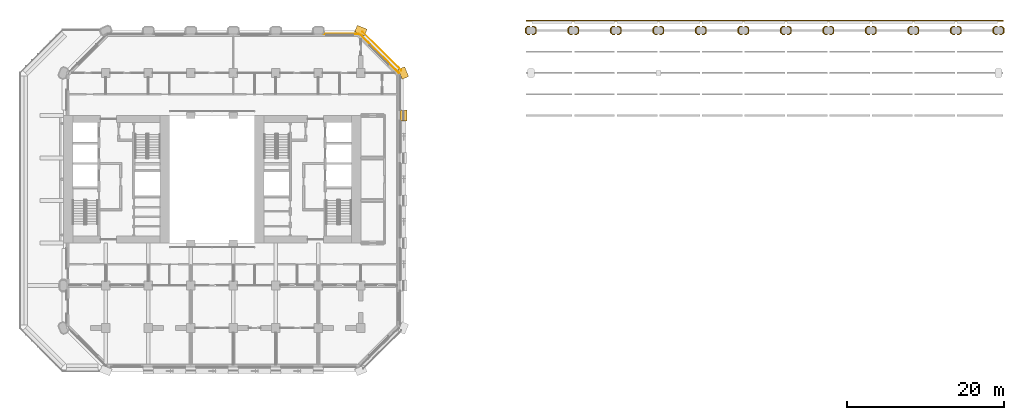
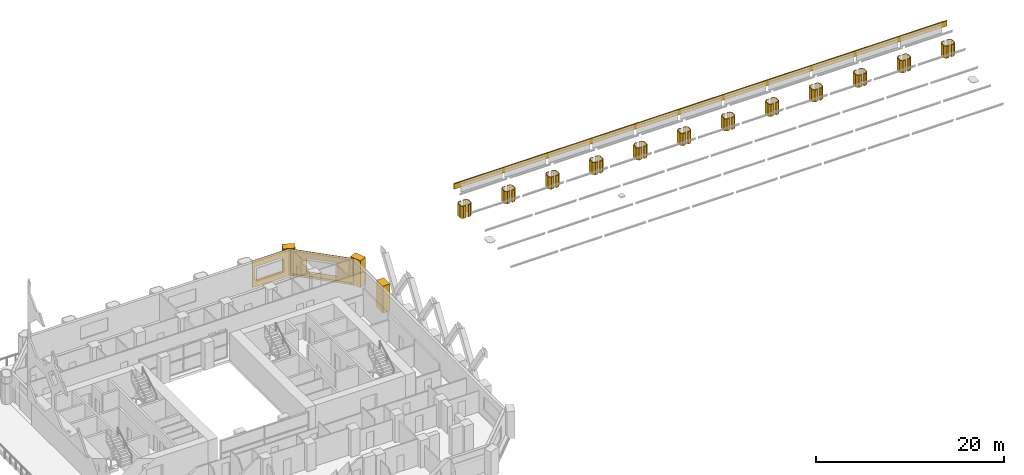
# One storey, part 14 of 14: 31 coverings.
"""IFC4 building model written with IfcOpenShell, lengths in metres."""

from ifc_helpers import new_model, si_unit, direction, frame, frame_2d, origin, place, context, subcontext, project, spatial, polyline, rectangle, outline, extrude, material, layer, layer_set, type_object, element, save


model = new_model("IFC4")

# Units and contexts
model_context = context("Model", 3, precision=1e-05, world=origin(), true_north=direction((0.0, 1.0)))
body_context = subcontext(model_context, "Body", "Model", "MODEL_VIEW")
ifc_project = project(units=[si_unit("LENGTHUNIT", "METRE"), si_unit("AREAUNIT", "SQUARE_METRE"), si_unit("VOLUMEUNIT", "CUBIC_METRE"), si_unit("PLANEANGLEUNIT", "RADIAN"), si_unit("MASSUNIT", "GRAM", prefix="KILO")], contexts=[model_context])

# Site, building, storey
site_placement = place(None, origin())
site = spatial("IfcSite", under=ifc_project, at=site_placement, CompositionType="ELEMENT")
building_placement = place(site_placement, origin())
building = spatial("IfcBuilding", under=site, at=building_placement, Name="Tabaq Tower and Sports Hall", CompositionType="ELEMENT")
storey_placement = place(building_placement, frame((0.0, 0.0, 33.60009765625)))
storey = spatial("IfcBuildingStorey", under=building, at=storey_placement, Name="L06", CompositionType="ELEMENT", Elevation=33.60009765625)

# Coverings
ifc_material_1 = material(Name="Precast concrete C60/75", Category="concrete")
ifc_layer_1 = layer(ifc_material_1, 0.10009765625)
ifc_layer_set_1 = layer_set([ifc_layer_1], Name="Column cladding 100")
covering_type_1 = type_object("IfcCoveringType", Name="Column cladding 100", PredefinedType="CLADDING", material=ifc_layer_set_1)
covering_1_placement = place(storey_placement, origin())
element("IfcCovering", 1, at=covering_1_placement, inside=storey, type_object=covering_type_1, Name="Column cladding L06 HC-13I", PredefinedType="CLADDING", context=body_context, shape_type="SweptSolid", body=[
    extrude(outline(polyline([(65.2412109375, 43.749755859375), (65.499755859375, 43.4912109375), (65.499755859375, 42.90869140625), (65.2412109375, 42.650390625), (64.952880859375, 42.650390625), (64.952880859375, 42.749755859375), (65.2001953125, 42.749755859375), (65.400390625, 42.949951171875), (65.400390625, 43.4501953125), (65.2001953125, 43.650390625), (64.952880859375, 43.650390625), (64.952880859375, 43.749755859375), (65.2412109375, 43.749755859375)])), origin(), (0.0, 0.0, 1.0), 1.576904296875),
])
covering_2_placement = place(storey_placement, origin())
element("IfcCovering", 2, at=covering_2_placement, inside=storey, type_object=covering_type_1, Name="Column cladding L06 HC-13I 2", PredefinedType="CLADDING", context=body_context, shape_type="SweptSolid", body=[
    extrude(outline(polyline([(64.100341796875, 43.4912109375), (64.358642578125, 43.749755859375), (64.64697265625, 43.749755859375), (64.64697265625, 43.650390625), (64.39990234375, 43.650390625), (64.19970703125, 43.4501953125), (64.19970703125, 42.949951171875), (64.39990234375, 42.749755859375), (64.64697265625, 42.749755859375), (64.64697265625, 42.650390625), (64.358642578125, 42.650390625), (64.100341796875, 42.90869140625), (64.100341796875, 43.4912109375)])), origin(), (0.0, 0.0, 1.0), 1.576904296875),
])
covering_3_placement = place(storey_placement, origin())
element("IfcCovering", 3, at=covering_3_placement, inside=storey, type_object=covering_type_1, Name="Column cladding L06 HC-14I", PredefinedType="CLADDING", context=body_context, shape_type="SweptSolid", body=[
    extrude(outline(polyline([(70.641357421875, 43.749755859375), (70.899658203125, 43.4912109375), (70.899658203125, 42.90869140625), (70.641357421875, 42.650390625), (70.35302734375, 42.650390625), (70.35302734375, 42.749755859375), (70.60009765625, 42.749755859375), (70.80029296875, 42.949951171875), (70.80029296875, 43.4501953125), (70.60009765625, 43.650390625), (70.35302734375, 43.650390625), (70.35302734375, 43.749755859375), (70.641357421875, 43.749755859375)])), origin(), (0.0, 0.0, 1.0), 1.576904296875),
])
covering_4_placement = place(storey_placement, origin())
element("IfcCovering", 4, at=covering_4_placement, inside=storey, type_object=covering_type_1, Name="Column cladding L06 HC-14I 2", PredefinedType="CLADDING", context=body_context, shape_type="SweptSolid", body=[
    extrude(outline(polyline([(69.500244140625, 43.4912109375), (69.7587890625, 43.749755859375), (70.047119140625, 43.749755859375), (70.047119140625, 43.650390625), (69.7998046875, 43.650390625), (69.599609375, 43.4501953125), (69.599609375, 42.949951171875), (69.7998046875, 42.749755859375), (70.047119140625, 42.749755859375), (70.047119140625, 42.650390625), (69.7587890625, 42.650390625), (69.500244140625, 42.90869140625), (69.500244140625, 43.4912109375)])), origin(), (0.0, 0.0, 1.0), 1.576904296875),
])
covering_5_placement = place(storey_placement, origin())
element("IfcCovering", 5, at=covering_5_placement, inside=storey, type_object=covering_type_1, Name="Column cladding L06 HC-15I", PredefinedType="CLADDING", context=body_context, shape_type="SweptSolid", body=[
    extrude(outline(polyline([(76.041259765625, 43.749755859375), (76.2998046875, 43.4912109375), (76.2998046875, 42.90869140625), (76.041259765625, 42.650390625), (75.7529296875, 42.650390625), (75.7529296875, 42.749755859375), (76.000244140625, 42.749755859375), (76.2001953125, 42.949951171875), (76.2001953125, 43.4501953125), (76.000244140625, 43.650390625), (75.7529296875, 43.650390625), (75.7529296875, 43.749755859375), (76.041259765625, 43.749755859375)])), origin(), (0.0, 0.0, 1.0), 1.576904296875),
])
covering_6_placement = place(storey_placement, origin())
element("IfcCovering", 6, at=covering_6_placement, inside=storey, type_object=covering_type_1, Name="Column cladding L06 HC-15I 2", PredefinedType="CLADDING", context=body_context, shape_type="SweptSolid", body=[
    extrude(outline(polyline([(74.900390625, 43.4912109375), (75.15869140625, 43.749755859375), (75.447021484375, 43.749755859375), (75.447021484375, 43.650390625), (75.199951171875, 43.650390625), (74.999755859375, 43.4501953125), (74.999755859375, 42.949951171875), (75.199951171875, 42.749755859375), (75.447021484375, 42.749755859375), (75.447021484375, 42.650390625), (75.15869140625, 42.650390625), (74.900390625, 42.90869140625), (74.900390625, 43.4912109375)])), origin(), (0.0, 0.0, 1.0), 1.576904296875),
])
covering_7_placement = place(storey_placement, origin())
element("IfcCovering", 7, at=covering_7_placement, inside=storey, type_object=covering_type_1, Name="Column cladding L06 HC-16I", PredefinedType="CLADDING", context=body_context, shape_type="SweptSolid", body=[
    extrude(outline(polyline([(81.44140625, 43.749755859375), (81.69970703125, 43.4912109375), (81.69970703125, 42.90869140625), (81.44140625, 42.650390625), (81.153076171875, 42.650390625), (81.153076171875, 42.749755859375), (81.400146484375, 42.749755859375), (81.600341796875, 42.949951171875), (81.600341796875, 43.4501953125), (81.400146484375, 43.650390625), (81.153076171875, 43.650390625), (81.153076171875, 43.749755859375), (81.44140625, 43.749755859375)])), origin(), (0.0, 0.0, 1.0), 1.576904296875),
])
covering_8_placement = place(storey_placement, origin())
element("IfcCovering", 8, at=covering_8_placement, inside=storey, type_object=covering_type_1, Name="Column cladding L06 HC-16I 2", PredefinedType="CLADDING", context=body_context, shape_type="SweptSolid", body=[
    extrude(outline(polyline([(80.30029296875, 43.4912109375), (80.55859375, 43.749755859375), (80.846923828125, 43.749755859375), (80.846923828125, 43.650390625), (80.599853515625, 43.650390625), (80.399658203125, 43.4501953125), (80.399658203125, 42.949951171875), (80.599853515625, 42.749755859375), (80.846923828125, 42.749755859375), (80.846923828125, 42.650390625), (80.55859375, 42.650390625), (80.30029296875, 42.90869140625), (80.30029296875, 43.4912109375)])), origin(), (0.0, 0.0, 1.0), 1.576904296875),
])
covering_9_placement = place(storey_placement, origin())
element("IfcCovering", 9, at=covering_9_placement, inside=storey, type_object=covering_type_1, Name="Column cladding L06 HC-17I", PredefinedType="CLADDING", context=body_context, shape_type="SweptSolid", body=[
    extrude(outline(polyline([(86.84130859375, 43.749755859375), (87.099609375, 43.4912109375), (87.099609375, 42.90869140625), (86.84130859375, 42.650390625), (86.552978515625, 42.650390625), (86.552978515625, 42.749755859375), (86.800048828125, 42.749755859375), (87.000244140625, 42.949951171875), (87.000244140625, 43.4501953125), (86.800048828125, 43.650390625), (86.552978515625, 43.650390625), (86.552978515625, 43.749755859375), (86.84130859375, 43.749755859375)])), origin(), (0.0, 0.0, 1.0), 1.576904296875),
])
covering_10_placement = place(storey_placement, origin())
element("IfcCovering", 10, at=covering_10_placement, inside=storey, type_object=covering_type_1, Name="Column cladding L06 HC-17I 2", PredefinedType="CLADDING", context=body_context, shape_type="SweptSolid", body=[
    extrude(outline(polyline([(85.7001953125, 43.4912109375), (85.958740234375, 43.749755859375), (86.2470703125, 43.749755859375), (86.2470703125, 43.650390625), (85.999755859375, 43.650390625), (85.7998046875, 43.4501953125), (85.7998046875, 42.949951171875), (85.999755859375, 42.749755859375), (86.2470703125, 42.749755859375), (86.2470703125, 42.650390625), (85.958740234375, 42.650390625), (85.7001953125, 42.90869140625), (85.7001953125, 43.4912109375)])), origin(), (0.0, 0.0, 1.0), 1.576904296875),
])
covering_11_placement = place(storey_placement, origin())
element("IfcCovering", 11, at=covering_11_placement, inside=storey, type_object=covering_type_1, Name="Column cladding L06 HC-18I", PredefinedType="CLADDING", context=body_context, shape_type="SweptSolid", body=[
    extrude(outline(polyline([(92.2412109375, 43.749755859375), (92.499755859375, 43.4912109375), (92.499755859375, 42.90869140625), (92.2412109375, 42.650390625), (91.952880859375, 42.650390625), (91.952880859375, 42.749755859375), (92.2001953125, 42.749755859375), (92.400390625, 42.949951171875), (92.400390625, 43.4501953125), (92.2001953125, 43.650390625), (91.952880859375, 43.650390625), (91.952880859375, 43.749755859375), (92.2412109375, 43.749755859375)])), origin(), (0.0, 0.0, 1.0), 1.576904296875),
])
covering_12_placement = place(storey_placement, origin())
element("IfcCovering", 12, at=covering_12_placement, inside=storey, type_object=covering_type_1, Name="Column cladding L06 HC-18I 2", PredefinedType="CLADDING", context=body_context, shape_type="SweptSolid", body=[
    extrude(outline(polyline([(91.100341796875, 43.4912109375), (91.358642578125, 43.749755859375), (91.64697265625, 43.749755859375), (91.64697265625, 43.650390625), (91.39990234375, 43.650390625), (91.19970703125, 43.4501953125), (91.19970703125, 42.949951171875), (91.39990234375, 42.749755859375), (91.64697265625, 42.749755859375), (91.64697265625, 42.650390625), (91.358642578125, 42.650390625), (91.100341796875, 42.90869140625), (91.100341796875, 43.4912109375)])), origin(), (0.0, 0.0, 1.0), 1.576904296875),
])
covering_13_placement = place(storey_placement, origin())
element("IfcCovering", 13, at=covering_13_placement, inside=storey, type_object=covering_type_1, Name="Column cladding L06 HC-19I", PredefinedType="CLADDING", context=body_context, shape_type="SweptSolid", body=[
    extrude(outline(polyline([(97.641357421875, 43.749755859375), (97.899658203125, 43.4912109375), (97.899658203125, 42.90869140625), (97.641357421875, 42.650390625), (97.35302734375, 42.650390625), (97.35302734375, 42.749755859375), (97.60009765625, 42.749755859375), (97.80029296875, 42.949951171875), (97.80029296875, 43.4501953125), (97.60009765625, 43.650390625), (97.35302734375, 43.650390625), (97.35302734375, 43.749755859375), (97.641357421875, 43.749755859375)])), origin(), (0.0, 0.0, 1.0), 1.576904296875),
])
covering_14_placement = place(storey_placement, origin())
element("IfcCovering", 14, at=covering_14_placement, inside=storey, type_object=covering_type_1, Name="Column cladding L06 HC-19I 2", PredefinedType="CLADDING", context=body_context, shape_type="SweptSolid", body=[
    extrude(outline(polyline([(96.500244140625, 43.4912109375), (96.7587890625, 43.749755859375), (97.047119140625, 43.749755859375), (97.047119140625, 43.650390625), (96.7998046875, 43.650390625), (96.599609375, 43.4501953125), (96.599609375, 42.949951171875), (96.7998046875, 42.749755859375), (97.047119140625, 42.749755859375), (97.047119140625, 42.650390625), (96.7587890625, 42.650390625), (96.500244140625, 42.90869140625), (96.500244140625, 43.4912109375)])), origin(), (0.0, 0.0, 1.0), 1.576904296875),
])
covering_15_placement = place(storey_placement, origin())
element("IfcCovering", 15, at=covering_15_placement, inside=storey, type_object=covering_type_1, Name="Column cladding L06 HC-20I", PredefinedType="CLADDING", context=body_context, shape_type="SweptSolid", body=[
    extrude(outline(polyline([(103.041259765625, 43.749755859375), (103.2998046875, 43.4912109375), (103.2998046875, 42.90869140625), (103.041259765625, 42.650390625), (102.7529296875, 42.650390625), (102.7529296875, 42.749755859375), (103.000244140625, 42.749755859375), (103.2001953125, 42.949951171875), (103.2001953125, 43.4501953125), (103.000244140625, 43.650390625), (102.7529296875, 43.650390625), (102.7529296875, 43.749755859375), (103.041259765625, 43.749755859375)])), origin(), (0.0, 0.0, 1.0), 1.576904296875),
])
covering_16_placement = place(storey_placement, origin())
element("IfcCovering", 16, at=covering_16_placement, inside=storey, type_object=covering_type_1, Name="Column cladding L06 HC-20I 2", PredefinedType="CLADDING", context=body_context, shape_type="SweptSolid", body=[
    extrude(outline(polyline([(101.900390625, 43.4912109375), (102.15869140625, 43.749755859375), (102.447021484375, 43.749755859375), (102.447021484375, 43.650390625), (102.199951171875, 43.650390625), (101.999755859375, 43.4501953125), (101.999755859375, 42.949951171875), (102.199951171875, 42.749755859375), (102.447021484375, 42.749755859375), (102.447021484375, 42.650390625), (102.15869140625, 42.650390625), (101.900390625, 42.90869140625), (101.900390625, 43.4912109375)])), origin(), (0.0, 0.0, 1.0), 1.576904296875),
])
covering_17_placement = place(storey_placement, origin())
element("IfcCovering", 17, at=covering_17_placement, inside=storey, type_object=covering_type_1, Name="Column cladding L06 HC-21I", PredefinedType="CLADDING", context=body_context, shape_type="SweptSolid", body=[
    extrude(outline(polyline([(108.44140625, 43.749755859375), (108.69970703125, 43.4912109375), (108.69970703125, 42.90869140625), (108.44140625, 42.650390625), (108.153076171875, 42.650390625), (108.153076171875, 42.749755859375), (108.400146484375, 42.749755859375), (108.600341796875, 42.949951171875), (108.600341796875, 43.4501953125), (108.400146484375, 43.650390625), (108.153076171875, 43.650390625), (108.153076171875, 43.749755859375), (108.44140625, 43.749755859375)])), origin(), (0.0, 0.0, 1.0), 1.576904296875),
])
covering_18_placement = place(storey_placement, origin())
element("IfcCovering", 18, at=covering_18_placement, inside=storey, type_object=covering_type_1, Name="Column cladding L06 HC-21I 2", PredefinedType="CLADDING", context=body_context, shape_type="SweptSolid", body=[
    extrude(outline(polyline([(107.30029296875, 43.4912109375), (107.55859375, 43.749755859375), (107.846923828125, 43.749755859375), (107.846923828125, 43.650390625), (107.599853515625, 43.650390625), (107.399658203125, 43.4501953125), (107.399658203125, 42.949951171875), (107.599853515625, 42.749755859375), (107.846923828125, 42.749755859375), (107.846923828125, 42.650390625), (107.55859375, 42.650390625), (107.30029296875, 42.90869140625), (107.30029296875, 43.4912109375)])), origin(), (0.0, 0.0, 1.0), 1.576904296875),
])
covering_19_placement = place(storey_placement, origin())
element("IfcCovering", 19, at=covering_19_placement, inside=storey, type_object=covering_type_1, Name="Column cladding L06 HC-22I", PredefinedType="CLADDING", context=body_context, shape_type="SweptSolid", body=[
    extrude(outline(polyline([(113.84130859375, 43.749755859375), (114.099609375, 43.4912109375), (114.099609375, 42.90869140625), (113.84130859375, 42.650390625), (113.552978515625, 42.650390625), (113.552978515625, 42.749755859375), (113.800048828125, 42.749755859375), (114.000244140625, 42.949951171875), (114.000244140625, 43.4501953125), (113.800048828125, 43.650390625), (113.552978515625, 43.650390625), (113.552978515625, 43.749755859375), (113.84130859375, 43.749755859375)])), origin(), (0.0, 0.0, 1.0), 1.576904296875),
])
covering_20_placement = place(storey_placement, origin())
element("IfcCovering", 20, at=covering_20_placement, inside=storey, type_object=covering_type_1, Name="Column cladding L06 HC-22I 2", PredefinedType="CLADDING", context=body_context, shape_type="SweptSolid", body=[
    extrude(outline(polyline([(112.7001953125, 43.4912109375), (112.958740234375, 43.749755859375), (113.2470703125, 43.749755859375), (113.2470703125, 43.650390625), (112.999755859375, 43.650390625), (112.7998046875, 43.4501953125), (112.7998046875, 42.949951171875), (112.999755859375, 42.749755859375), (113.2470703125, 42.749755859375), (113.2470703125, 42.650390625), (112.958740234375, 42.650390625), (112.7001953125, 42.90869140625), (112.7001953125, 43.4912109375)])), origin(), (0.0, 0.0, 1.0), 1.576904296875),
])
covering_21_placement = place(storey_placement, origin())
element("IfcCovering", 21, at=covering_21_placement, inside=storey, type_object=covering_type_1, Name="Column cladding L06 HC-23I", PredefinedType="CLADDING", context=body_context, shape_type="SweptSolid", body=[
    extrude(outline(polyline([(119.2412109375, 43.749755859375), (119.499755859375, 43.4912109375), (119.499755859375, 42.90869140625), (119.2412109375, 42.650390625), (118.952880859375, 42.650390625), (118.952880859375, 42.749755859375), (119.2001953125, 42.749755859375), (119.400390625, 42.949951171875), (119.400390625, 43.4501953125), (119.2001953125, 43.650390625), (118.952880859375, 43.650390625), (118.952880859375, 43.749755859375), (119.2412109375, 43.749755859375)])), origin(), (0.0, 0.0, 1.0), 1.576904296875),
])
covering_22_placement = place(storey_placement, origin())
element("IfcCovering", 22, at=covering_22_placement, inside=storey, type_object=covering_type_1, Name="Column cladding L06 HC-23I 2", PredefinedType="CLADDING", context=body_context, shape_type="SweptSolid", body=[
    extrude(outline(polyline([(118.100341796875, 43.4912109375), (118.358642578125, 43.749755859375), (118.64697265625, 43.749755859375), (118.64697265625, 43.650390625), (118.39990234375, 43.650390625), (118.19970703125, 43.4501953125), (118.19970703125, 42.949951171875), (118.39990234375, 42.749755859375), (118.64697265625, 42.749755859375), (118.64697265625, 42.650390625), (118.358642578125, 42.650390625), (118.100341796875, 42.90869140625), (118.100341796875, 43.4912109375)])), origin(), (0.0, 0.0, 1.0), 1.576904296875),
])
covering_23_placement = place(storey_placement, origin())
element("IfcCovering", 23, at=covering_23_placement, inside=storey, type_object=covering_type_1, Name="Column cladding L06 HC-24I", PredefinedType="CLADDING", context=body_context, shape_type="SweptSolid", body=[
    extrude(outline(polyline([(124.641357421875, 43.749755859375), (124.899658203125, 43.4912109375), (124.899658203125, 42.90869140625), (124.641357421875, 42.650390625), (124.35302734375, 42.650390625), (124.35302734375, 42.749755859375), (124.60009765625, 42.749755859375), (124.80029296875, 42.949951171875), (124.80029296875, 43.4501953125), (124.60009765625, 43.650390625), (124.35302734375, 43.650390625), (124.35302734375, 43.749755859375), (124.641357421875, 43.749755859375)])), origin(), (0.0, 0.0, 1.0), 1.576904296875),
])
covering_24_placement = place(storey_placement, origin())
element("IfcCovering", 24, at=covering_24_placement, inside=storey, type_object=covering_type_1, Name="Column cladding L06 HC-24I 2", PredefinedType="CLADDING", context=body_context, shape_type="SweptSolid", body=[
    extrude(outline(polyline([(123.500244140625, 43.4912109375), (123.7587890625, 43.749755859375), (124.047119140625, 43.749755859375), (124.047119140625, 43.650390625), (123.7998046875, 43.650390625), (123.599609375, 43.4501953125), (123.599609375, 42.949951171875), (123.7998046875, 42.749755859375), (124.047119140625, 42.749755859375), (124.047119140625, 42.650390625), (123.7587890625, 42.650390625), (123.500244140625, 42.90869140625), (123.500244140625, 43.4912109375)])), origin(), (0.0, 0.0, 1.0), 1.576904296875),
])
ifc_material_2 = material(Name="Precast concrete C60/75", Category="concrete")
ifc_layer_2 = layer(ifc_material_2, 0.06005859375)
ifc_layer_set_2 = layer_set([ifc_layer_2], Name="Edge beam cladding 60")
covering_type_2 = type_object("IfcCoveringType", Name="Edge beam cladding 60", PredefinedType="CLADDING", material=ifc_layer_set_2)
covering_25_placement = place(storey_placement, frame((48.3369140625, 38.10546875, -0.300048828125), z_axis=(0.0, 0.0, 1.0), x_axis=(-0.707106781187, 0.707106781187, 0.0)))
element("IfcCovering", 25, at=covering_25_placement, inside=storey, type_object=covering_type_2, Name="Edge beam cladding L06 4", PredefinedType="CLADDING", context=body_context, shape_type="SweptSolid", body=[
    extrude(rectangle(XDim=6.98486328125, YDim=0.06005859375, at=frame_2d((3.492431640625, 0.0))), origin(), (0.0, 0.0, 1.0), 0.300048828125),
])
ifc_material_3 = material(Name="White precast concrete C60/75", Category="concrete")
covering_type_3 = type_object("IfcCoveringType", Name="Pier cladding hung 1350x900", PredefinedType="CLADDING", material=ifc_material_3)
covering_26_placement = place(storey_placement, frame((43.82373046875, 42.941650390625, 0.0), z_axis=(0.0, 0.0, 1.0), x_axis=(-0.923893411637, 0.382649923473, 0.0)))
element("IfcCovering", 26, at=covering_26_placement, inside=storey, type_object=covering_type_3, Name="Hung pier cladding 8/8", PredefinedType="CLADDING", context=body_context, shape_type="SweptSolid", body=[
    extrude(rectangle(XDim=1.35009765625, YDim=0.89990234375, at=frame_2d((0.675048828125, 0.0))), origin(), (0.0, 0.0, 1.0), 3.5),
])
covering_27_placement = place(storey_placement, frame((48.60009765625, 31.72509765625, 0.0), z_axis=(0.0, 0.0, 1.0), x_axis=(0.0, 1.0, 0.0)))
element("IfcCovering", 27, at=covering_27_placement, inside=storey, type_object=covering_type_3, Name="Hung pier cladding 9/6", PredefinedType="CLADDING", context=body_context, shape_type="SweptSolid", body=[
    extrude(rectangle(XDim=1.349853515625, YDim=0.89990234375, at=frame_2d((0.6748046875, 0.0))), origin(), (0.0, 0.0, 1.0), 3.5),
])
covering_28_placement = place(storey_placement, frame((48.8583984375, 37.17626953125, 0.0), z_axis=(0.0, 0.0, 1.0), x_axis=(-0.382649923473, 0.923893411637, 0.0)))
element("IfcCovering", 28, at=covering_28_placement, inside=storey, type_object=covering_type_3, Name="Hung pier cladding 9/7", PredefinedType="CLADDING", context=body_context, shape_type="SweptSolid", body=[
    extrude(rectangle(XDim=1.35009765625, YDim=0.89990234375, at=frame_2d((0.675048828125, 0.0))), origin(), (0.0, 0.0, 1.0), 3.5),
])
ifc_material_4 = material(Name="Precast concrete C60/75", Category="concrete")
ifc_layer_3 = layer(ifc_material_4, 0.14990234375)
ifc_layer_set_3 = layer_set([ifc_layer_3], Name="Tray fascia 1200")
covering_type_4 = type_object("IfcCoveringType", Name="Tray fascia 1200", PredefinedType="CLADDING", material=ifc_layer_set_3)
covering_29_placement = place(storey_placement, frame((64.199951171875, 44.455078125, 2.796875), z_axis=(0.0, 0.0, 1.0), x_axis=(1.0, 0.0, 0.0)))
element("IfcCovering", 29, at=covering_29_placement, inside=storey, type_object=covering_type_4, Name="Roof fascia cladding N", PredefinedType="CLADDING", context=body_context, shape_type="SweptSolid", body=[
    extrude(rectangle(XDim=60.60009765625, YDim=0.14990234375, at=frame_2d((30.300048828125, 0.0))), origin(), (0.0, 0.0, 1.0), 0.699951171875),
])
ifc_material_5 = material(Name="Precast concrete C60/75", Category="concrete")
ifc_layer_4 = layer(ifc_material_5, 0.06005859375)
ifc_layer_set_4 = layer_set([ifc_layer_4], Name="White precast cladding panel 60 C60/75")
covering_type_5 = type_object("IfcCoveringType", Name="White precast cladding panel 60 C60/75", PredefinedType="CLADDING", material=ifc_layer_set_4)
covering_30_placement = place(storey_placement, frame((48.02587890625, 37.7802734375, 0.309814453125), z_axis=(0.0, 0.0, 1.0), x_axis=(-0.707124585489, 0.707088976436, 0.0)))
element("IfcCovering", 30, at=covering_30_placement, inside=storey, type_object=covering_type_5, Name="White precast cladding panel L06 wall03", PredefinedType="CLADDING", context=body_context, shape_type="SweptSolid", body=[
    extrude(outline(polyline([(0.0, 0.0), (6.856201171875, 0.0), (6.856201171875, 3.190185546875), (0.0, 3.190185546875), (0.0, 0.0)]), holes=[polyline([(1.71630859375, 0.580078125), (1.71630859375, 2.300048828125), (5.13623046875, 2.300048828125), (5.13623046875, 0.580078125), (1.71630859375, 0.580078125)])]), frame((0.0, 0.030029296875, 0.0), z_axis=(0.0, -1.0, 0.0), x_axis=(1.0, 0.0, 0.0)), (0.0, 0.0, 1.0), 0.06005859375),
])
covering_31_placement = place(storey_placement, frame((42.956787109375, 42.780029296875, 0.0), z_axis=(0.0, 0.0, 1.0), x_axis=(-1.0, 0.0, 0.0)))
element("IfcCovering", 31, at=covering_31_placement, inside=storey, type_object=covering_type_5, Name="White precast cladding panel L06 wall04", PredefinedType="CLADDING", context=body_context, shape_type="SweptSolid", body=[
    extrude(outline(polyline([(0.0, 0.0), (4.4716796875, 0.0), (4.4716796875, 3.5), (0.0, 3.5), (0.0, 0.0)]), holes=[polyline([(0.746826171875, 0.889892578125), (0.746826171875, 2.60986328125), (4.166748046875, 2.60986328125), (4.166748046875, 0.889892578125), (0.746826171875, 0.889892578125)])]), frame((0.0, 0.030029296875, 0.0), z_axis=(0.0, -1.0, 0.0), x_axis=(1.0, 0.0, 0.0)), (0.0, 0.0, 1.0), 0.06005859375),
])

save(model, "model.ifc")
